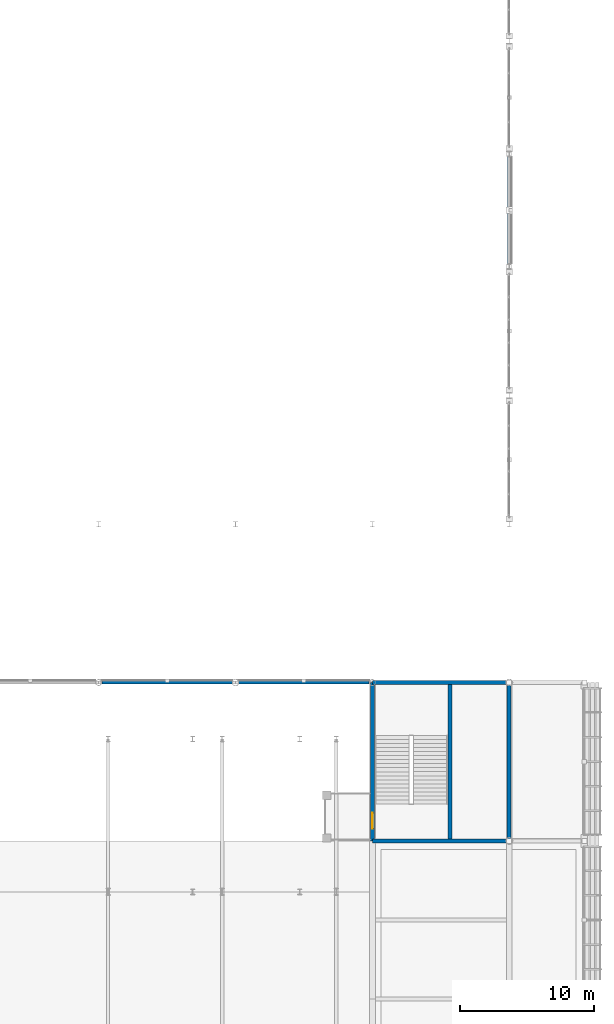
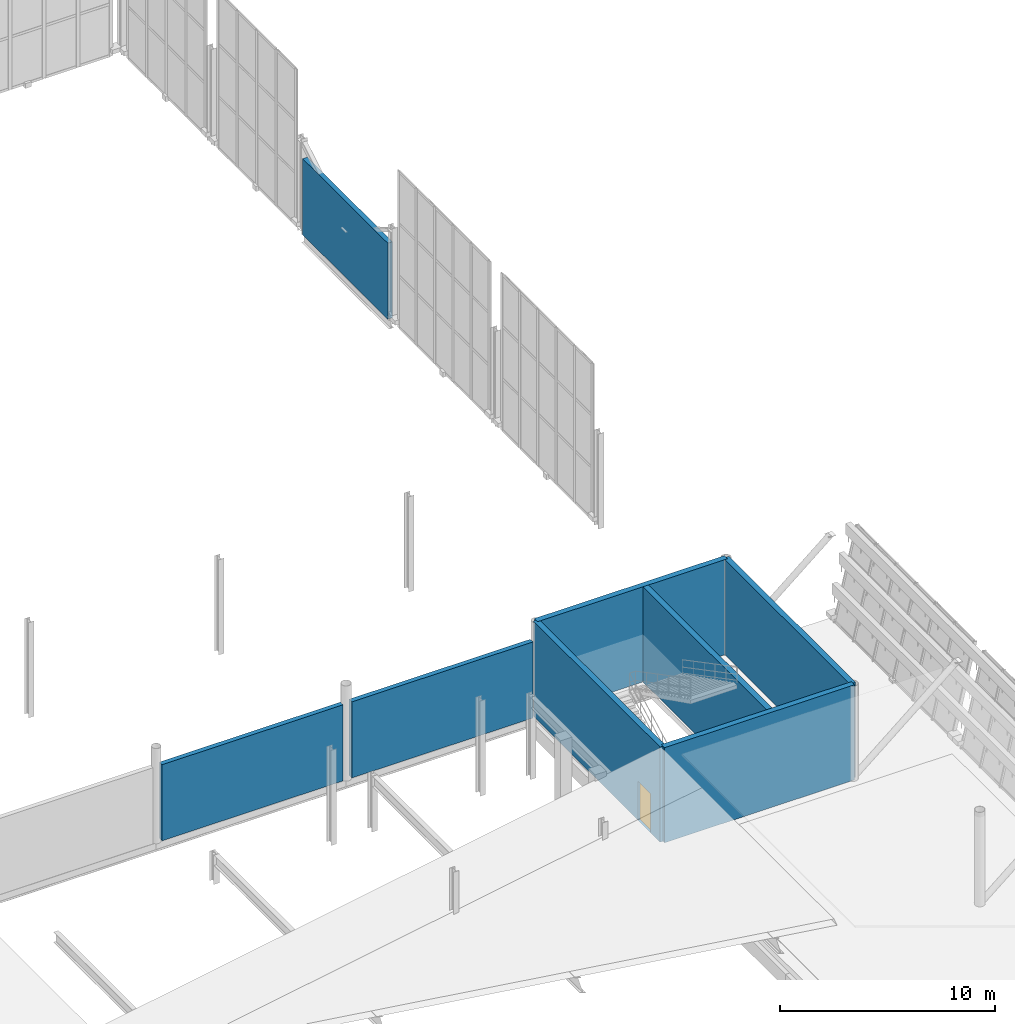
# One storey, part 136 of 175: 8 walls, 1 door, 1 opening.
"""IFC4 building model written with IfcOpenShell, lengths in metres."""

from ifc_helpers import new_model, si_unit, direction, frame, frame_2d, origin, place, context, subcontext, project, spatial, rectangle, extrude, material, layer, layer_set, type_object, element, fill, save


model = new_model("IFC4")

# Units and contexts
model_context = context("Model", 3, precision=1e-05, world=origin(), true_north=direction((0.0, 1.0)))
body_context = subcontext(model_context, "Body", "Model", "MODEL_VIEW")
ifc_project = project(units=[si_unit("LENGTHUNIT", "METRE"), si_unit("AREAUNIT", "SQUARE_METRE"), si_unit("VOLUMEUNIT", "CUBIC_METRE"), si_unit("PLANEANGLEUNIT", "RADIAN"), si_unit("MASSUNIT", "GRAM", prefix="KILO")], contexts=[model_context])

# Site, building, storey
site_placement = place(None, origin())
site = spatial("IfcSite", under=ifc_project, at=site_placement, CompositionType="ELEMENT")
building_placement = place(site_placement, origin())
building = spatial("IfcBuilding", under=site, at=building_placement, Name="Brelvane Convention Centre", CompositionType="ELEMENT")
storey_placement = place(building_placement, frame((0.0, 0.0, 5.39990234375)))
storey = spatial("IfcBuildingStorey", under=building, at=storey_placement, Name="L01", CompositionType="ELEMENT", Elevation=5.39990234375)

# Walls
ifc_material_1 = material(Name="Concrete M40", Category="concrete")
ifc_layer_1 = layer(ifc_material_1, 0.25)
ifc_layer_set_1 = layer_set([ifc_layer_1], Name="Concrete M40")
wall_type_1 = type_object("IfcWallType", Name="Exterior Wall EW-09", PredefinedType="SOLIDWALL", material=ifc_layer_set_1)
for number, where, z_axis, x_axis, name in (
    (1, (194.0400390625, 87.800048828125, 0.0), (0.0, 0.0, 1.0), (1.0, 0.0, 0.0), "Exterior Wall L01 V2N-L01-4"),
    (2, (204.239990234375, 87.800048828125, 0.0), (0.0, 0.0, 1.0), (1.0, 0.0, 0.0), "Exterior Wall L01 V2N-L01-5"),
):
    element("IfcWall", number, at=place(storey_placement, frame(where, z_axis=z_axis, x_axis=x_axis)), inside=storey, type_object=wall_type_1, Name=name, PredefinedType="SOLIDWALL", context=body_context, shape_type="SweptSolid", body=[
        extrude(rectangle(XDim=9.719970703125, YDim=0.25, at=frame_2d((4.85986328125, 0.0))), origin(), (0.0, 0.0, 1.0), 4.320068359375),
    ])
wall_1_placement = place(storey_placement, frame((224.39990234375, 119.0400390625, 0.0), z_axis=(0.0, 0.0, 1.0), x_axis=(0.0, 1.0, 0.0)))
element("IfcWall", 3, at=wall_1_placement, inside=storey, type_object=wall_type_1, Name="Exterior Wall L01 V3E-L01-3", PredefinedType="SOLIDWALL", context=body_context, shape_type="SweptSolid", body=[
    extrude(rectangle(XDim=7.919921875, YDim=0.25, at=frame_2d((3.9599609375, 0.0))), origin(), (0.0, 0.0, 1.0), 4.320068359375),
])
ifc_material_2 = material(Name="Concrete M50", Category="concrete")
ifc_layer_2 = layer(ifc_material_2, 0.300048828125)
ifc_layer_set_2 = layer_set([ifc_layer_2], Name="Concrete M50")
wall_type_2 = type_object("IfcWallType", Name="Structural Wall WL-CORE-300", PredefinedType="SHEAR", material=ifc_layer_set_2)
for number, where, z_axis, x_axis, name in (
    (4, (214.199951171875, 76.0, 0.0), (0.0, 0.0, 1.0), (1.0, 0.0, 0.0), "Stair Core ST-16 Wall S (L01)"),
    (5, (214.199951171875, 87.800048828125, 0.0), (0.0, 0.0, 1.0), (1.0, 0.0, 0.0), "Stair Core ST-16 Wall N (L01)"),
):
    element("IfcWall", number, at=place(storey_placement, frame(where, z_axis=z_axis, x_axis=x_axis)), inside=storey, type_object=wall_type_2, Name=name, PredefinedType="SHEAR", context=body_context, shape_type="SweptSolid", body=[
        extrude(rectangle(XDim=10.199951171875, YDim=0.300048828125, at=frame_2d((5.10009765625, 0.0))), origin(), (0.0, 0.0, 1.0), 5.400146484375),
    ])

# Wall, opening, door
wall_2_placement = place(storey_placement, frame((214.199951171875, 76.0, 0.0), z_axis=(0.0, 0.0, 1.0), x_axis=(0.0, 1.0, 0.0)))
wall_2 = element("IfcWall", 6, at=wall_2_placement, inside=storey, type_object=wall_type_2, Name="Stair Core ST-16 Wall W (L01)", PredefinedType="SHEAR", context=body_context, shape_type="SweptSolid", body=[
    extrude(rectangle(XDim=11.800048828125, YDim=0.300048828125, at=frame_2d((5.89990234375, 0.0))), origin(), (0.0, 0.0, 1.0), 5.400146484375),
])
opening_placement = place(wall_2_placement, frame((0.919921875, 0.0, 0.0)))
opening = element("IfcOpeningElement", 7, at=opening_placement, cuts=wall_2, Name="Opening DR-IN-04L", PredefinedType="OPENING", context=body_context, shape_type="SweptSolid", body=[
    extrude(rectangle(XDim=1.159912109375, YDim=2.199951171875, at=frame_2d((0.580078125, 1.10009765625))), frame((0.0, 0.159912109375, 0.0), z_axis=(0.0, -1.0, 0.0), x_axis=(1.0, 0.0, 0.0)), (0.0, 0.0, 1.0), 0.320068359375),
])
ifc_material_3 = material(Name="Galvanised Hollow-Metal Fire Door Steel E250", Category="steel")
door_type = type_object("IfcDoorType", Name="Interior Door DR-IN-04L", OperationType="NOTDEFINED", PredefinedType="DOOR", material=ifc_material_3)
door_placement = place(opening_placement, origin())
door = element("IfcDoor", 8, at=door_placement, inside=storey, type_object=door_type, Name="Stair ST-16 Entry Door (L01)", OperationType="SINGLE_SWING_LEFT", OverallHeight=2.199951171875, OverallWidth=1.159912109375, PredefinedType="DOOR", context=body_context, shape_type="SweptSolid", body=[
    extrude(rectangle(XDim=1.159912109375, YDim=2.199951171875, at=frame_2d((0.580078125, 1.10009765625))), frame((0.0, 0.02490234375, 0.0), z_axis=(0.0, -1.0, 0.0), x_axis=(1.0, 0.0, 0.0)), (0.0, 0.0, 1.0), 0.050048828125),
])
fill(opening, door)

# Walls
wall_3_placement = place(storey_placement, frame((224.39990234375, 76.0, 0.0), z_axis=(0.0, 0.0, 1.0), x_axis=(0.0, 1.0, 0.0)))
element("IfcWall", 9, at=wall_3_placement, inside=storey, type_object=wall_type_2, Name="Stair Core ST-16 Wall E (L01)", PredefinedType="SHEAR", context=body_context, shape_type="SweptSolid", body=[
    extrude(rectangle(XDim=11.800048828125, YDim=0.300048828125, at=frame_2d((5.89990234375, 0.0))), origin(), (0.0, 0.0, 1.0), 5.400146484375),
])
wall_4_placement = place(storey_placement, frame((220.0, 76.14990234375, 0.0), z_axis=(0.0, 0.0, 1.0), x_axis=(0.0, 1.0, 0.0)))
element("IfcWall", 10, at=wall_4_placement, inside=storey, type_object=wall_type_2, Name="Stair Core ST-16 Well Wall (L01)", PredefinedType="SHEAR", context=body_context, shape_type="SweptSolid", body=[
    extrude(rectangle(XDim=11.5, YDim=0.300048828125, at=frame_2d((5.75, 0.0))), origin(), (0.0, 0.0, 1.0), 5.400146484375),
])

save(model, "model.ifc")
